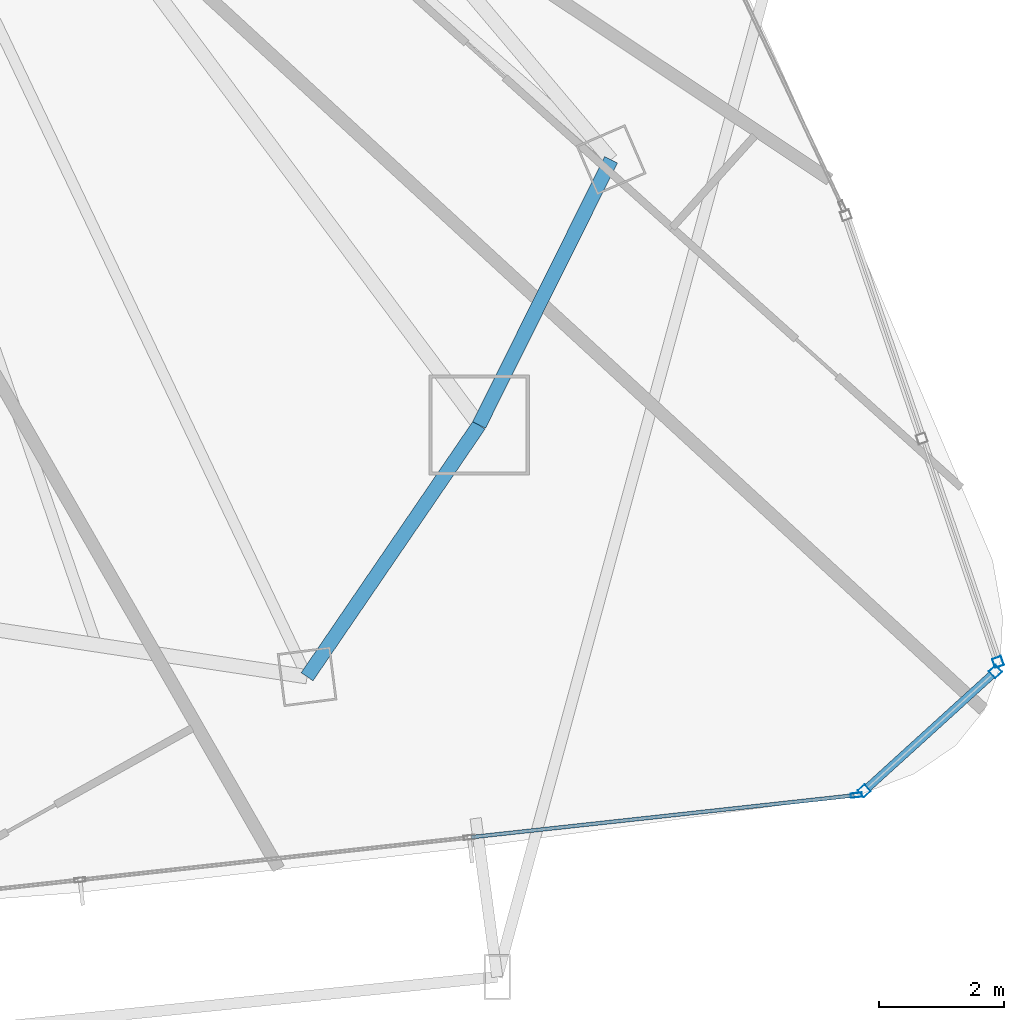
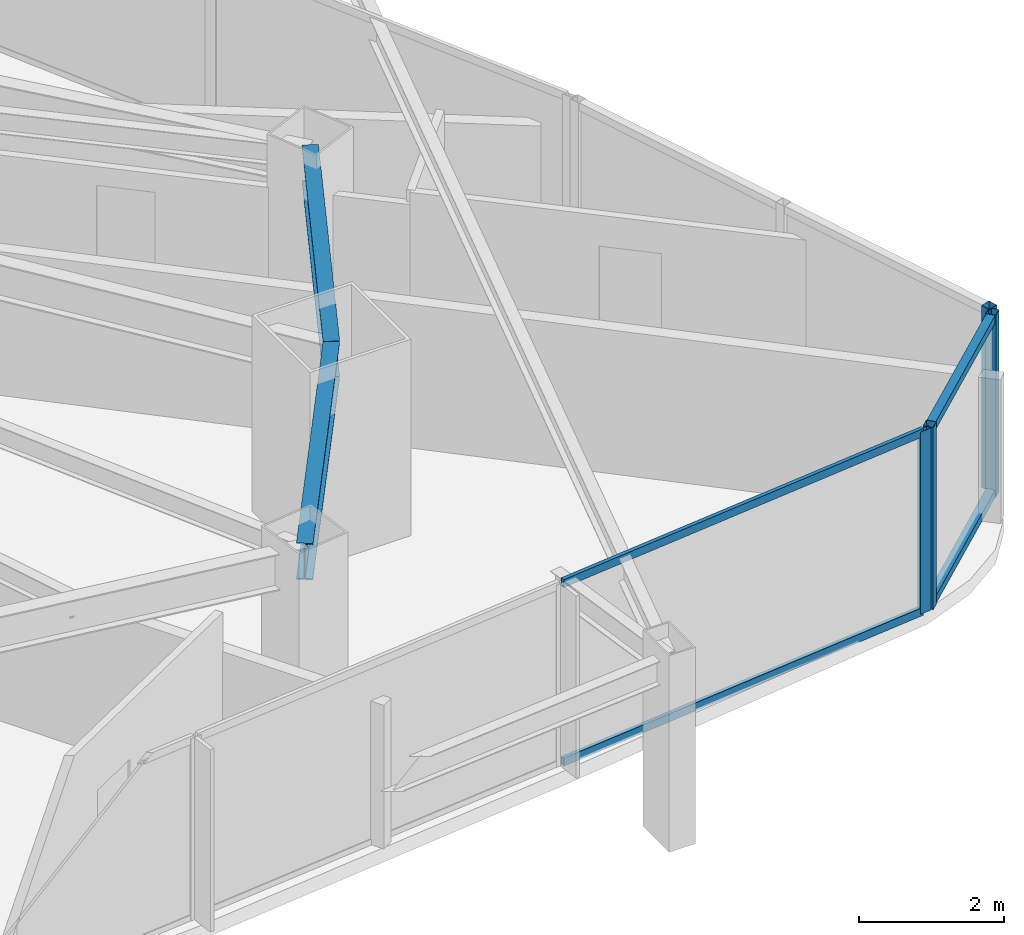
# One storey, part 13 of 33: 8 members, 2 beams, 3 elements without a shape of their own.
"""IFC4 building model written with IfcOpenShell, lengths in metres."""

from ifc_helpers import new_model, si_unit, direction, frame, origin, origin_2d, place, context, subcontext, project, spatial, hollow_rectangle, i_section, extrude, material, layer, layer_set, material_profile, profile_set, type_object, element, aggregate, save


model = new_model("IFC4")

# Units and contexts
model_context = context("Model", 3, precision=1e-05, world=origin(), true_north=direction((0.0, 1.0)))
body_context = subcontext(model_context, "Body", "Model", "MODEL_VIEW")
ifc_project = project(units=[si_unit("LENGTHUNIT", "METRE"), si_unit("AREAUNIT", "SQUARE_METRE"), si_unit("VOLUMEUNIT", "CUBIC_METRE"), si_unit("PLANEANGLEUNIT", "RADIAN"), si_unit("MASSUNIT", "GRAM", prefix="KILO")], contexts=[model_context])

# Site, building, storey
site_placement = place(None, origin())
site = spatial("IfcSite", under=ifc_project, at=site_placement, CompositionType="ELEMENT")
building_placement = place(site_placement, origin())
building = spatial("IfcBuilding", under=site, at=building_placement, Name="Orvanel Arch Residences", CompositionType="ELEMENT")
storey_placement = place(building_placement, frame((0.0, 0.0, 90.64990234375)))
storey = spatial("IfcBuildingStorey", under=building, at=storey_placement, Name="L25", CompositionType="ELEMENT", Elevation=90.64990234375)

# Curtain wall, members
ifc_material_1 = material(Name="Bronze-anodised aluminium AA6063-T6", Category="aluminium")
ifc_layer_1 = layer(ifc_material_1, 0.18994140625)
ifc_layer_set_1 = layer_set([ifc_layer_1], Name="Bronze-anodised aluminium AA6063-T6")
curtain_wall_type_1 = type_object("IfcCurtainWallType", Name="CW5-CRN-SYS", PredefinedType="NOTDEFINED", material=ifc_layer_set_1)
curtain_wall_1_placement = place(storey_placement, origin())
curtain_wall_1 = element("IfcCurtainWall", 1, at=curtain_wall_1_placement, inside=storey, type_object=curtain_wall_type_1, Name="L25 CW5-CRN-SYS Unitised Curtain Wall", PredefinedType="NOTDEFINED")
ifc_material_profile_1 = material_profile(ifc_material_1, hollow_rectangle(XDim=0.14990234375, YDim=0.14990234375, WallThickness=0.0048828125, at=origin_2d()), Name="ALU150x150x5")
ifc_profile_set_1 = profile_set([ifc_material_profile_1], Name="Bronze-anodised aluminium AA6063-T6")
member_type_1 = type_object("IfcMemberType", Name="MUL-150x150", PredefinedType="MULLION", material=ifc_profile_set_1)
member_1_placement = place(storey_placement, frame((57.939453125, 4.521484375, 0.0), z_axis=(0.0, 0.0, 1.0), x_axis=(-0.672354967353, 0.740228882087, 0.0)))
member_1 = element("IfcMember", 2, at=member_1_placement, type_object=member_type_1, Name="CW-S5 mullion 1", PredefinedType="MULLION", context=body_context, shape_type="SweptSolid", body=[
    extrude(hollow_rectangle(XDim=0.14990234375, YDim=0.14990234375, WallThickness=0.0048828125, at=origin_2d()), origin(), (0.0, 0.0, 1.0), 3.06005859375),
])
member_2_placement = place(storey_placement, frame((60.031494140625, 6.421630859375, 0.0), z_axis=(0.0, 0.0, 1.0), x_axis=(-0.672354967353, 0.740228882087, 0.0)))
member_2 = element("IfcMember", 3, at=member_2_placement, type_object=member_type_1, Name="CW-S5 mullion 2", PredefinedType="MULLION", context=body_context, shape_type="SweptSolid", body=[
    extrude(hollow_rectangle(XDim=0.14990234375, YDim=0.14990234375, WallThickness=0.0048828125, at=origin_2d()), origin(), (0.0, 0.0, 1.0), 3.06005859375),
])

# Curtain wall, member
curtain_wall_2_placement = place(storey_placement, origin())
curtain_wall_2 = element("IfcCurtainWall", 4, at=curtain_wall_2_placement, inside=storey, type_object=curtain_wall_type_1, Name="L25 CW5-CRN-SYS Unitised Curtain Wall", PredefinedType="NOTDEFINED")
member_3_placement = place(storey_placement, frame((60.07177734375, 6.574951171875, 0.0), z_axis=(0.0, 0.0, 1.0), x_axis=(-0.946590672949, -0.322437742651, 0.0)))
member_3 = element("IfcMember", 5, at=member_3_placement, type_object=member_type_1, Name="CW-S5 mullion 1", PredefinedType="MULLION", context=body_context, shape_type="SweptSolid", body=[
    extrude(hollow_rectangle(XDim=0.14990234375, YDim=0.14990234375, WallThickness=0.0048828125, at=origin_2d()), origin(), (0.0, 0.0, 1.0), 3.06005859375),
])
aggregate(curtain_wall_2, [member_3])

ifc_layer_2 = layer(ifc_material_1, 0.179931640625)
ifc_layer_set_2 = layer_set([ifc_layer_2], Name="Bronze-anodised aluminium AA6063-T6")
curtain_wall_type_2 = type_object("IfcCurtainWallType", Name="CW2-LOW-SYS", PredefinedType="NOTDEFINED", material=ifc_layer_set_2)
curtain_wall_3_placement = place(storey_placement, origin())
curtain_wall_3 = element("IfcCurtainWall", 6, at=curtain_wall_3_placement, inside=storey, type_object=curtain_wall_type_2, Name="L25 CW2-LOW-SYS Unitised Curtain Wall", PredefinedType="NOTDEFINED")
ifc_material_profile_2 = material_profile(ifc_material_1, hollow_rectangle(XDim=0.070068359375, YDim=0.179931640625, WallThickness=0.00439453125, at=origin_2d()), Name="ALU180x70x4.5")
ifc_profile_set_2 = profile_set([ifc_material_profile_2], Name="Bronze-anodised aluminium AA6063-T6")
member_type_2 = type_object("IfcMemberType", Name="MUL-180x70", PredefinedType="MULLION", material=ifc_profile_set_2)
member_4_placement = place(storey_placement, frame((57.814208984375, 4.4521484375, 0.0), z_axis=(0.0, 0.0, 1.0), x_axis=(-0.108531962964, 0.994092959946, 0.0)))
member_4 = element("IfcMember", 7, at=member_4_placement, type_object=member_type_2, Name="CW-S2 mullion 4", PredefinedType="MULLION", context=body_context, shape_type="SweptSolid", body=[
    extrude(hollow_rectangle(XDim=0.070068359375, YDim=0.179931640625, WallThickness=0.00439453125, at=origin_2d()), origin(), (0.0, 0.0, 1.0), 3.06005859375),
])

# Beams
ifc_material_2 = material(Name="Structural steel AS/NZS 3679.1 Grade 300 (300 MPa)", Category="steel")
ifc_material_profile_3 = material_profile(ifc_material_2, i_section(OverallWidth=0.22900390625, OverallDepth=0.612060546875, WebThickness=0.011962890625, FlangeThickness=0.01953125, at=origin_2d()), Name="610UB125")
ifc_profile_set_3 = profile_set([ifc_material_profile_3], Name="Structural steel AS/NZS 3679.1 Grade 300 (300 MPa)")
beam_type = type_object("IfcBeamType", Name="SP-610UB", PredefinedType="SPANDREL", material=ifc_profile_set_3)
beam_1_placement = place(storey_placement, frame((49.05908203125, 6.339111328125, 2.754150390625), z_axis=(0.564251579852, 0.825602903722, 0.0), x_axis=(-0.825602903722, 0.564251579852, 0.0)))
element("IfcBeam", 8, at=beam_1_placement, inside=storey, type_object=beam_type, Name="L25 Perimeter Spandrel Beam 10", PredefinedType="SPANDREL", context=body_context, shape_type="SweptSolid", body=[
    extrude(i_section(OverallWidth=0.22900390625, OverallDepth=0.612060546875, WebThickness=0.011962890625, FlangeThickness=0.01953125, at=origin_2d()), origin(), (0.0, 0.0, 1.0), 4.859375),
])
beam_2_placement = place(storey_placement, frame((51.801025390625, 10.35107421875, 2.754150390625), z_axis=(0.44543469453, 0.895314432425, 0.0), x_axis=(-0.895314432425, 0.44543469453, 0.0)))
element("IfcBeam", 9, at=beam_2_placement, inside=storey, type_object=beam_type, Name="L25 Perimeter Spandrel Beam 11", PredefinedType="SPANDREL", context=body_context, shape_type="SweptSolid", body=[
    extrude(i_section(OverallWidth=0.22900390625, OverallDepth=0.612060546875, WebThickness=0.011962890625, FlangeThickness=0.01953125, at=origin_2d()), origin(), (0.0, 0.0, 1.0), 4.723388671875),
])

# Member
ifc_material_profile_4 = material_profile(ifc_material_1, hollow_rectangle(XDim=0.1298828125, YDim=0.1298828125, WallThickness=0.00439453125, at=origin_2d()), Name="ALU130x130x4.5")
ifc_profile_set_4 = profile_set([ifc_material_profile_4], Name="Bronze-anodised aluminium AA6063-T6")
member_type_3 = type_object("IfcMemberType", Name="TRN-130x130", PredefinedType="USERDEFINED", material=ifc_profile_set_4)
member_5_placement = place(storey_placement, frame((57.9951171875, 4.57177734375, 0.065185546875), z_axis=(0.740228964533, 0.672354876584, 0.0), x_axis=(-0.672354876584, 0.740228964533, 0.0)))
member_5 = element("IfcMember", 10, at=member_5_placement, type_object=member_type_3, Name="CW-S5 transom 1.1", ObjectType="TRANSOM", PredefinedType="USERDEFINED", context=body_context, shape_type="SweptSolid", body=[
    extrude(hollow_rectangle(XDim=0.1298828125, YDim=0.1298828125, WallThickness=0.00439453125, at=origin_2d()), origin(), (0.0, 0.0, 1.0), 2.676025390625),
])

member_6_placement = place(storey_placement, frame((57.9951171875, 4.57177734375, 2.9951171875), z_axis=(0.740228964533, 0.672354876584, 0.0), x_axis=(-0.672354876584, 0.740228964533, 0.0)))
member_6 = element("IfcMember", 11, at=member_6_placement, type_object=member_type_3, Name="CW-S5 transom 1.2", ObjectType="TRANSOM", PredefinedType="USERDEFINED", context=body_context, shape_type="SweptSolid", body=[
    extrude(hollow_rectangle(XDim=0.1298828125, YDim=0.1298828125, WallThickness=0.00439453125, at=origin_2d()), origin(), (0.0, 0.0, 1.0), 2.676025390625),
])

aggregate(curtain_wall_1, [member_1, member_2, member_5, member_6])

ifc_material_profile_5 = material_profile(ifc_material_1, hollow_rectangle(XDim=0.06005859375, YDim=0.135009765625, WallThickness=0.00390625, at=origin_2d()), Name="ALU135x60x4")
ifc_profile_set_5 = profile_set([ifc_material_profile_5], Name="Bronze-anodised aluminium AA6063-T6")
member_type_4 = type_object("IfcMemberType", Name="TRN-135x60", PredefinedType="USERDEFINED", material=ifc_profile_set_5)
member_7_placement = place(storey_placement, frame((51.6796875, 3.782470703125, 0.030029296875), z_axis=(0.994091564885, 0.108544740194, 0.0), x_axis=(-0.108544740194, 0.994091564885, 0.0)))
member_7 = element("IfcMember", 12, at=member_7_placement, type_object=member_type_4, Name="CW-S2 transom 3.1", ObjectType="TRANSOM", PredefinedType="USERDEFINED", context=body_context, shape_type="SweptSolid", body=[
    extrude(hollow_rectangle(XDim=0.06005859375, YDim=0.135009765625, WallThickness=0.00390625, at=origin_2d()), origin(), (0.0, 0.0, 1.0), 6.1357421875),
])

member_8_placement = place(storey_placement, frame((51.6796875, 3.782470703125, 3.030029296875), z_axis=(0.994091564885, 0.108544740194, 0.0), x_axis=(-0.108544740194, 0.994091564885, 0.0)))
member_8 = element("IfcMember", 13, at=member_8_placement, type_object=member_type_4, Name="CW-S2 transom 3.2", ObjectType="TRANSOM", PredefinedType="USERDEFINED", context=body_context, shape_type="SweptSolid", body=[
    extrude(hollow_rectangle(XDim=0.06005859375, YDim=0.135009765625, WallThickness=0.00390625, at=origin_2d()), origin(), (0.0, 0.0, 1.0), 6.1357421875),
])

aggregate(curtain_wall_3, [member_4, member_7, member_8])

save(model, "model.ifc")
